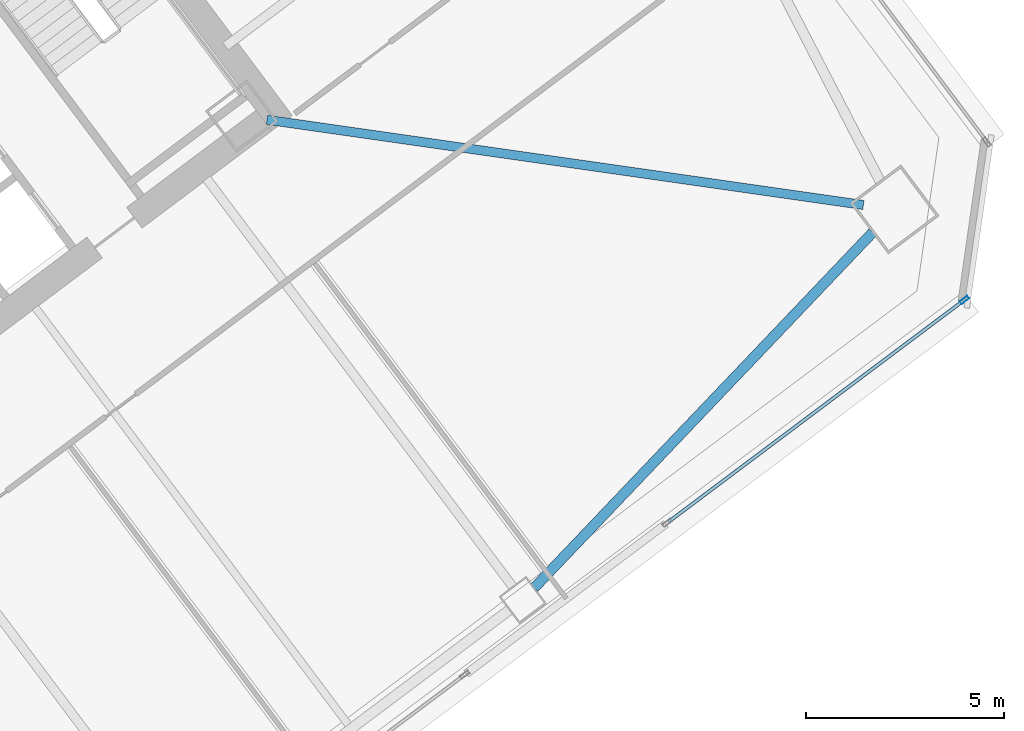
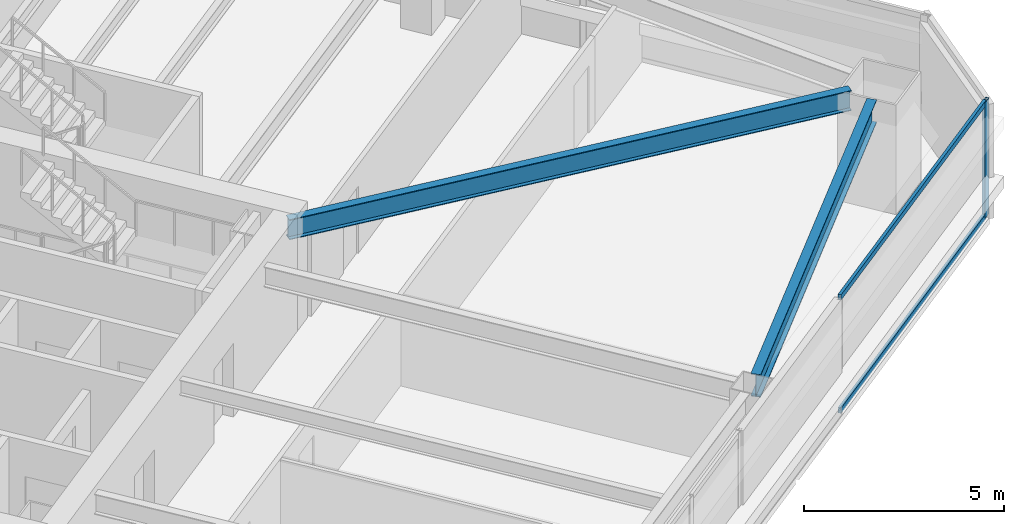
# One storey, part 24 of 46: 3 members, 2 beams, 1 element without a shape of its own.
"""IFC4 building model written with IfcOpenShell, lengths in metres."""

from ifc_helpers import new_model, si_unit, direction, frame, origin, origin_2d, place, context, subcontext, project, spatial, hollow_rectangle, i_section, extrude, material, material_profile, profile_set, type_object, element, aggregate, save


model = new_model("IFC4")

# Units and contexts
model_context = context("Model", 3, precision=1e-05, world=origin(), true_north=direction((0.0, 1.0)))
body_context = subcontext(model_context, "Body", "Model", "MODEL_VIEW")
ifc_project = project(units=[si_unit("LENGTHUNIT", "METRE"), si_unit("AREAUNIT", "SQUARE_METRE"), si_unit("VOLUMEUNIT", "CUBIC_METRE"), si_unit("PLANEANGLEUNIT", "RADIAN"), si_unit("MASSUNIT", "GRAM", prefix="KILO")], contexts=[model_context])

# Site, building, storey
site_placement = place(None, origin())
site = spatial("IfcSite", under=ifc_project, at=site_placement, CompositionType="ELEMENT")
building_placement = place(site_placement, origin())
building = spatial("IfcBuilding", under=site, at=building_placement, Name="Tashvorn Skyway Center", CompositionType="ELEMENT")
storey_placement = place(building_placement, frame((0.0, 0.0, 38.800048828125)))
storey = spatial("IfcBuildingStorey", under=building, at=storey_placement, Name="L09", CompositionType="ELEMENT", Elevation=38.800048828125)

# Beams
ifc_material_1 = material(Name="Steel ASTM A992 Grade 50", Category="steel")
ifc_material_profile_1 = material_profile(ifc_material_1, i_section(OverallWidth=0.22998046875, OverallDepth=0.616943359375, WebThickness=0.01318359375, FlangeThickness=0.022216796875, at=origin_2d()), Name="W24X94")
ifc_profile_set_1 = profile_set([ifc_material_profile_1], Name="Steel ASTM A992 Grade 50")
beam_type_1 = type_object("IfcBeamType", Name="BM-BEAM-W24X94", PredefinedType="BEAM", material=ifc_profile_set_1)
beam_1_placement = place(storey_placement, frame((139.532958984375, 28.3525390625, 3.04150390625), z_axis=(-0.989950458816, 0.141414599991, 0.0), x_axis=(-0.141414599991, -0.989950458816, 0.0)))
element("IfcBeam", 1, at=beam_1_placement, inside=storey, type_object=beam_type_1, Name="Tower 2 L09 Primary Floor Girder MC-SE", PredefinedType="BEAM", context=body_context, shape_type="SweptSolid", body=[
    extrude(i_section(OverallWidth=0.22998046875, OverallDepth=0.616943359375, WebThickness=0.01318359375, FlangeThickness=0.022216796875, at=origin_2d()), origin(), (0.0, 0.0, 1.0), 15.177001953125),
])
ifc_material_profile_2 = material_profile(ifc_material_1, i_section(OverallWidth=0.256103515625, OverallDepth=0.693115234375, WebThickness=0.014404296875, FlangeThickness=0.023681640625, at=origin_2d()), Name="W27X114")
ifc_profile_set_2 = profile_set([ifc_material_profile_2], Name="Steel ASTM A992 Grade 50")
beam_type_2 = type_object("IfcBeamType", Name="BM-SPANDREL-W27X114", PredefinedType="SPANDREL", material=ifc_profile_set_2)
beam_2_placement = place(storey_placement, frame((131.23974609375, 18.7041015625, 3.00341796875), z_axis=(0.689589637236, 0.724200339835, 0.0), x_axis=(-0.724200339835, 0.689589637236, 0.0)))
element("IfcBeam", 2, at=beam_2_placement, inside=storey, type_object=beam_type_2, Name="Tower 2 L09 Spandrel Beam 03", PredefinedType="SPANDREL", context=body_context, shape_type="SweptSolid", body=[
    extrude(i_section(OverallWidth=0.256103515625, OverallDepth=0.693115234375, WebThickness=0.014404296875, FlangeThickness=0.023681640625, at=origin_2d()), origin(), (0.0, 0.0, 1.0), 12.37255859375),
])

# Curtain wall, members
ifc_material_2 = material(Name="Thermally broken bronze-anodized aluminium 6063-T6", Category="aluminium")
curtain_wall_type = type_object("IfcCurtainWallType", Name="CW-CW-Z1", PredefinedType="NOTDEFINED", material=ifc_material_2)
curtain_wall_placement = place(storey_placement, origin())
curtain_wall = element("IfcCurtainWall", 3, at=curtain_wall_placement, inside=storey, type_object=curtain_wall_type, Name="Tower 2 L09 South Unitised Curtain Wall Glazing Group 1", PredefinedType="NOTDEFINED")
ifc_material_profile_3 = material_profile(ifc_material_2, hollow_rectangle(XDim=0.0849609375, YDim=0.239990234375, WallThickness=0.0048828125, at=origin_2d()), Name="ALU-MULL-85x240")
ifc_profile_set_3 = profile_set([ifc_material_profile_3], Name="Thermally broken bronze-anodized aluminium 6063-T6")
member_type_1 = type_object("IfcMemberType", Name="CWM-CW-Z1", PredefinedType="MULLION", material=ifc_profile_set_3)
member_1_placement = place(storey_placement, frame((142.077880859375, 25.95849609375, 0.0), z_axis=(0.0, 0.0, 1.0), x_axis=(0.600000000002, -0.799999999998, 0.0)))
member_1 = element("IfcMember", 4, at=member_1_placement, type_object=member_type_1, Name="CW-Z1 mullion 1", PredefinedType="MULLION", context=body_context, shape_type="SweptSolid", body=[
    extrude(hollow_rectangle(XDim=0.0849609375, YDim=0.239990234375, WallThickness=0.0048828125, at=origin_2d()), origin(), (0.0, 0.0, 1.0), 3.550048828125),
])
ifc_material_profile_4 = material_profile(ifc_material_2, hollow_rectangle(XDim=0.0849609375, YDim=0.1650390625, WallThickness=0.0048828125, at=origin_2d()), Name="ALU-TRAN-85x165")
ifc_profile_set_4 = profile_set([ifc_material_profile_4], Name="Thermally broken bronze-anodized aluminium 6063-T6")
member_type_2 = type_object("IfcMemberType", Name="CWT-CW-Z1", PredefinedType="USERDEFINED", material=ifc_profile_set_4)
member_2_placement = place(storey_placement, frame((142.0439453125, 25.93310546875, 0.04248046875), z_axis=(-0.8, -0.6, 0.0), x_axis=(0.6, -0.8, 0.0)))
member_2 = element("IfcMember", 5, at=member_2_placement, type_object=member_type_2, Name="CW-Z1 transom 1.1", ObjectType="TRANSOM", PredefinedType="USERDEFINED", context=body_context, shape_type="SweptSolid", body=[
    extrude(hollow_rectangle(XDim=0.0849609375, YDim=0.1650390625, WallThickness=0.0048828125, at=origin_2d()), origin(), (0.0, 0.0, 1.0), 9.27001953125),
])
member_3_placement = place(storey_placement, frame((142.0439453125, 25.93310546875, 3.507568359375), z_axis=(-0.8, -0.6, 0.0), x_axis=(0.6, -0.8, 0.0)))
member_3 = element("IfcMember", 6, at=member_3_placement, type_object=member_type_2, Name="CW-Z1 transom 1.2", ObjectType="TRANSOM", PredefinedType="USERDEFINED", context=body_context, shape_type="SweptSolid", body=[
    extrude(hollow_rectangle(XDim=0.0849609375, YDim=0.1650390625, WallThickness=0.0048828125, at=origin_2d()), origin(), (0.0, 0.0, 1.0), 9.27001953125),
])
aggregate(curtain_wall, [member_1, member_2, member_3])

save(model, "model.ifc")
